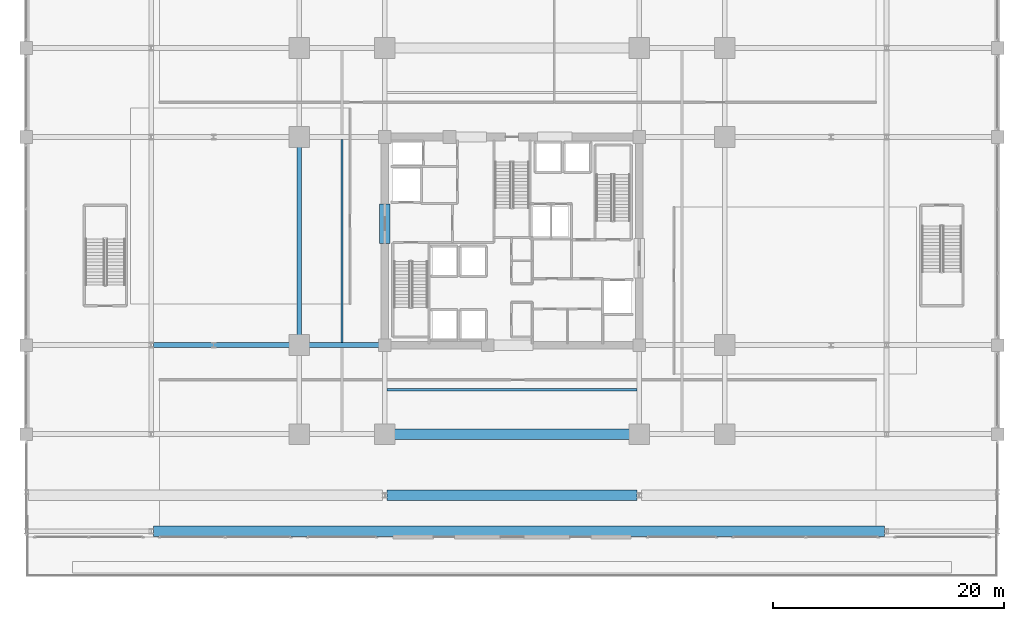
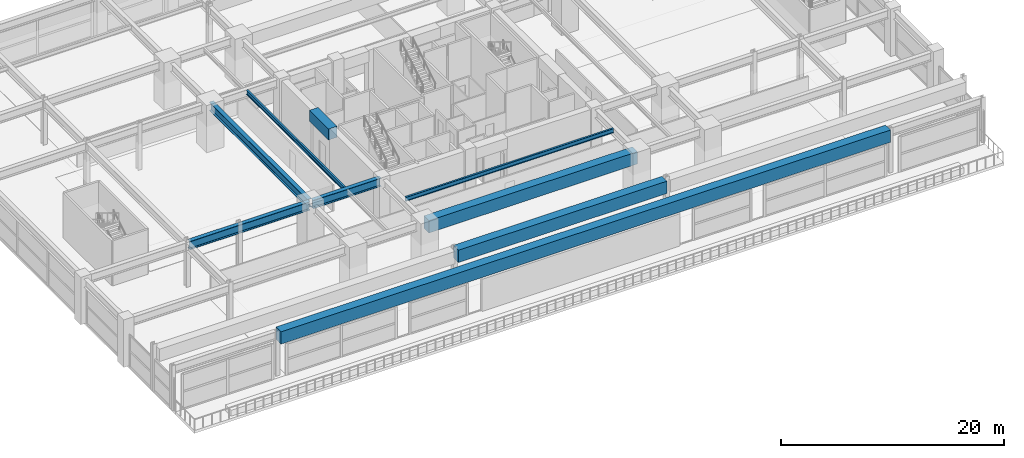
# One storey, part 10 of 45: 9 beams.
"""IFC4 building model written with IfcOpenShell, lengths in metres."""

from ifc_helpers import new_model, si_unit, direction, frame, origin, origin_2d, place, context, subcontext, project, spatial, rectangle, i_section, extrude, material, material_profile, profile_set, type_object, element, save


model = new_model("IFC4")

# Units and contexts
model_context = context("Model", 3, precision=1e-05, world=origin(), true_north=direction((0.0, 1.0)))
body_context = subcontext(model_context, "Body", "Model", "MODEL_VIEW")
ifc_project = project(units=[si_unit("LENGTHUNIT", "METRE"), si_unit("AREAUNIT", "SQUARE_METRE"), si_unit("VOLUMEUNIT", "CUBIC_METRE"), si_unit("PLANEANGLEUNIT", "RADIAN"), si_unit("MASSUNIT", "GRAM", prefix="KILO")], contexts=[model_context])

# Site, building, storey
site_placement = place(None, origin())
site = spatial("IfcSite", under=ifc_project, at=site_placement, CompositionType="ELEMENT")
building_placement = place(site_placement, origin())
building = spatial("IfcBuilding", under=site, at=building_placement, Name="Kovane Verandah Tower", CompositionType="ELEMENT")
storey_placement = place(building_placement, frame((0.0, 0.0, 6.0)))
storey = spatial("IfcBuildingStorey", under=building, at=storey_placement, Name="L01", CompositionType="ELEMENT", Elevation=6.0)

# Beams
ifc_material_1 = material(Name="Concrete C80/95", Category="concrete")
ifc_material_profile_1 = material_profile(ifc_material_1, rectangle(XDim=0.89990234375, YDim=1.199951171875, at=origin_2d()), Name="RCB900x1200")
ifc_profile_set_1 = profile_set([ifc_material_profile_1], Name="Concrete C80/95")
beam_type_1 = type_object("IfcBeamType", Name="BM-LINTEL-900x1200", PredefinedType="LINTEL", material=ifc_profile_set_1)
beam_1_placement = place(storey_placement, frame((29.0, 27.300048828125, 4.320068359375), z_axis=(0.0, 1.0, 0.0), x_axis=(-1.0, 0.0, 0.0)))
element("IfcBeam", 1, at=beam_1_placement, inside=storey, type_object=beam_type_1, Name="L01 Core Coupling Lintel CL-W", PredefinedType="LINTEL", context=body_context, shape_type="SweptSolid", body=[
    extrude(rectangle(XDim=0.89990234375, YDim=1.199951171875, at=origin_2d()), origin(), (0.0, 0.0, 1.0), 3.39990234375),
])
ifc_material_profile_2 = material_profile(ifc_material_1, rectangle(XDim=0.89990234375, YDim=1.35009765625, at=origin_2d()), Name="RCB900x1350")
ifc_profile_set_2 = profile_set([ifc_material_profile_2], Name="Concrete C80/95")
beam_type_2 = type_object("IfcBeamType", Name="BM-TR-900x1350", PredefinedType="BEAM", material=ifc_profile_set_2)
beam_2_placement = place(storey_placement, frame((29.179931640625, 10.800048828125, 4.2451171875), z_axis=(1.0, 0.0, 0.0), x_axis=(0.0, 1.0, 0.0)))
element("IfcBeam", 2, at=beam_2_placement, inside=storey, type_object=beam_type_2, Name="L01 Primary Tower Girder G-RS2", PredefinedType="BEAM", context=body_context, shape_type="SweptSolid", body=[
    extrude(rectangle(XDim=0.89990234375, YDim=1.35009765625, at=origin_2d()), origin(), (0.0, 0.0, 1.0), 21.64013671875),
])
beam_3_placement = place(storey_placement, frame((8.97998046875, 2.39990234375, 4.22509765625), z_axis=(1.0, 0.0, 0.0), x_axis=(0.0, 1.0, 0.0)))
element("IfcBeam", 3, at=beam_3_placement, inside=storey, type_object=beam_type_2, Name="L01 South Terrace Girder S1-2", PredefinedType="BEAM", context=body_context, shape_type="SweptSolid", body=[
    extrude(rectangle(XDim=0.89990234375, YDim=1.35009765625, at=origin_2d()), origin(), (0.0, 0.0, 1.0), 63.239990234375),
])
beam_4_placement = place(storey_placement, frame((29.179931640625, 5.5, 4.22509765625), z_axis=(1.0, 0.0, 0.0), x_axis=(0.0, 1.0, 0.0)))
element("IfcBeam", 4, at=beam_4_placement, inside=storey, type_object=beam_type_2, Name="L01 South Terrace Girder S2-2", PredefinedType="BEAM", context=body_context, shape_type="SweptSolid", body=[
    extrude(rectangle(XDim=0.89990234375, YDim=1.35009765625, at=origin_2d()), origin(), (0.0, 0.0, 1.0), 21.64013671875),
])
ifc_material_2 = material(Name="Steel S460", Category="steel")
ifc_material_profile_3 = material_profile(ifc_material_2, i_section(OverallWidth=0.42041015625, OverallDepth=0.9208984375, WebThickness=0.021484375, FlangeThickness=0.03662109375, FilletRadius=0.024169921875, at=origin_2d()), Name="UB914x419x388")
ifc_profile_set_3 = profile_set([ifc_material_profile_3], Name="Steel S460")
beam_type_3 = type_object("IfcBeamType", Name="BM-UB914x388", PredefinedType="BEAM", material=ifc_profile_set_3)
beam_5_placement = place(storey_placement, frame((21.60009765625, 18.679931640625, 4.45947265625), z_axis=(0.0, 1.0, 0.0), x_axis=(-1.0, 0.0, 0.0)))
element("IfcBeam", 5, at=beam_5_placement, inside=storey, type_object=beam_type_3, Name="L01 Primary Tower Girder G-RW2", PredefinedType="BEAM", context=body_context, shape_type="SweptSolid", body=[
    extrude(i_section(OverallWidth=0.42041015625, OverallDepth=0.9208984375, WebThickness=0.021484375, FlangeThickness=0.03662109375, FilletRadius=0.024169921875, at=origin_2d()), origin(), (0.0, 0.0, 1.0), 17.64013671875),
])
beam_6_placement = place(storey_placement, frame((28.820068359375, 18.5, 4.45947265625), z_axis=(-1.0, 0.0, 0.0), x_axis=(0.0, -1.0, 0.0)))
element("IfcBeam", 6, at=beam_6_placement, inside=storey, type_object=beam_type_3, Name="L01 Primary Tower Girder G-W1", PredefinedType="BEAM", context=body_context, shape_type="SweptSolid", body=[
    extrude(i_section(OverallWidth=0.42041015625, OverallDepth=0.9208984375, WebThickness=0.021484375, FlangeThickness=0.03662109375, FilletRadius=0.024169921875, at=origin_2d()), origin(), (0.0, 0.0, 1.0), 7.0400390625),
])
beam_7_placement = place(storey_placement, frame((8.97998046875, 18.5, 4.439453125), z_axis=(1.0, 0.0, 0.0), x_axis=(0.0, 1.0, 0.0)))
element("IfcBeam", 7, at=beam_7_placement, inside=storey, type_object=beam_type_3, Name="L01 Podium Grid Girder X06", PredefinedType="BEAM", context=body_context, shape_type="SweptSolid", body=[
    extrude(i_section(OverallWidth=0.42041015625, OverallDepth=0.9208984375, WebThickness=0.021484375, FlangeThickness=0.03662109375, FilletRadius=0.024169921875, at=origin_2d()), origin(), (0.0, 0.0, 1.0), 12.43994140625),
])
ifc_material_3 = material(Name="Steel S355", Category="steel")
ifc_material_profile_4 = material_profile(ifc_material_3, i_section(OverallWidth=0.19287109375, OverallDepth=0.46728515625, WebThickness=0.011474609375, FlangeThickness=0.01953125, FilletRadius=0.01025390625, at=origin_2d()), Name="UB457x191x98")
ifc_profile_set_4 = profile_set([ifc_material_profile_4], Name="Steel S355")
beam_type_4 = type_object("IfcBeamType", Name="JST-UB457x98", PredefinedType="JOIST", material=ifc_profile_set_4)
beam_8_placement = place(storey_placement, frame((29.208251953125, 14.64990234375, 4.686279296875), z_axis=(1.0, 0.0, 0.0), x_axis=(0.0, 1.0, 0.0)))
element("IfcBeam", 8, at=beam_8_placement, inside=storey, type_object=beam_type_4, Name="L01 Secondary Composite Joist J-S1", PredefinedType="JOIST", context=body_context, shape_type="SweptSolid", body=[
    extrude(i_section(OverallWidth=0.19287109375, OverallDepth=0.46728515625, WebThickness=0.011474609375, FlangeThickness=0.01953125, FilletRadius=0.01025390625, at=origin_2d()), origin(), (0.0, 0.0, 1.0), 21.58349609375),
])
beam_9_placement = place(storey_placement, frame((25.300048828125, 18.708251953125, 4.686279296875), z_axis=(0.0, 1.0, 0.0), x_axis=(-1.0, 0.0, 0.0)))
element("IfcBeam", 9, at=beam_9_placement, inside=storey, type_object=beam_type_4, Name="L01 Secondary Composite Joist J-W1", PredefinedType="JOIST", context=body_context, shape_type="SweptSolid", body=[
    extrude(i_section(OverallWidth=0.19287109375, OverallDepth=0.46728515625, WebThickness=0.011474609375, FlangeThickness=0.01953125, FilletRadius=0.01025390625, at=origin_2d()), origin(), (0.0, 0.0, 1.0), 17.58349609375),
])

save(model, "model.ifc")
